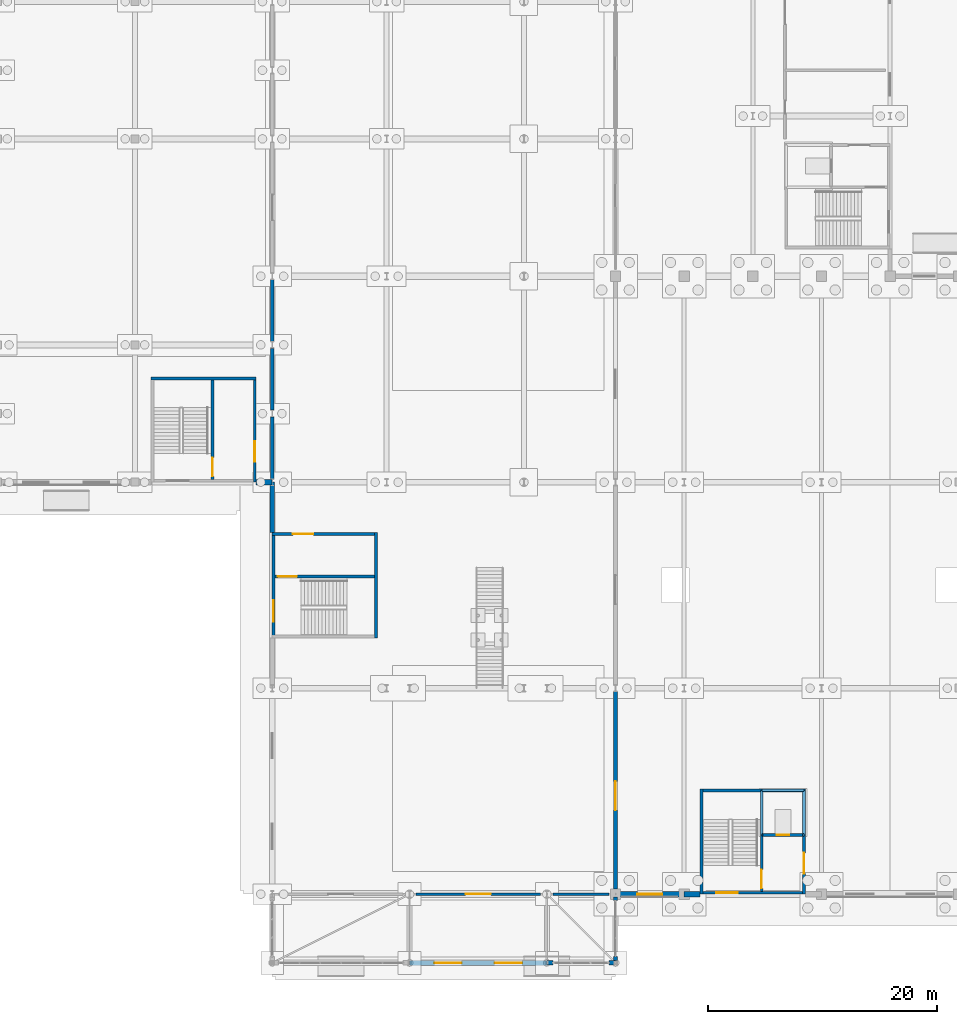
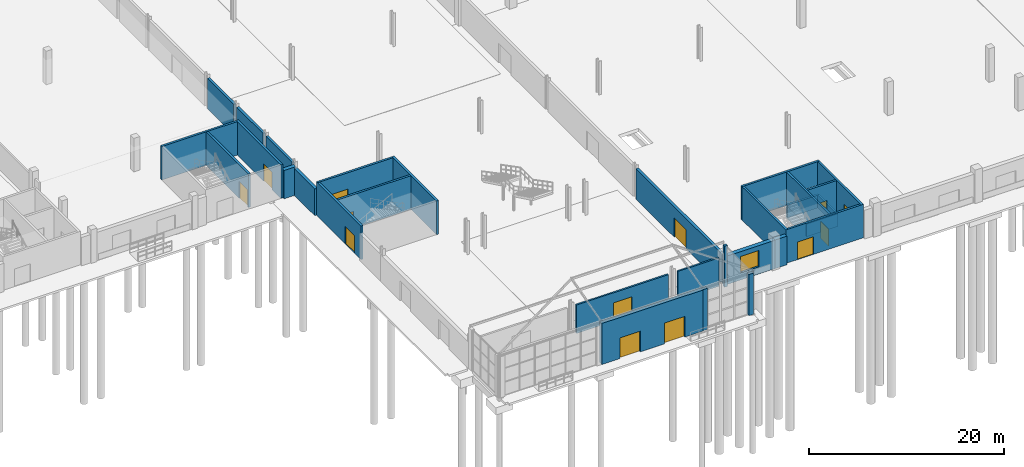
# One storey, part 53 of 77: 32 walls, 13 doors, 1 window, 14 openings.
"""IFC4 building model written with IfcOpenShell, lengths in metres."""

from ifc_helpers import new_model, si_unit, direction, frame, frame_2d, origin, place, context, subcontext, project, spatial, rectangle, extrude, material, layer, layer_set, type_object, element, fill, save


model = new_model("IFC4")

# Units and contexts
model_context = context("Model", 3, precision=1e-05, world=origin(), true_north=direction((0.0, 1.0)))
body_context = subcontext(model_context, "Body", "Model", "MODEL_VIEW")
ifc_project = project(units=[si_unit("LENGTHUNIT", "METRE"), si_unit("AREAUNIT", "SQUARE_METRE"), si_unit("VOLUMEUNIT", "CUBIC_METRE"), si_unit("PLANEANGLEUNIT", "RADIAN"), si_unit("MASSUNIT", "GRAM", prefix="KILO")], contexts=[model_context])

# Site, building, storey
site_placement = place(None, origin())
site = spatial("IfcSite", under=ifc_project, at=site_placement, CompositionType="ELEMENT")
building_placement = place(site_placement, origin())
building = spatial("IfcBuilding", under=site, at=building_placement, Name="Zilviju Railside Exhibition Hall", CompositionType="ELEMENT")
storey_placement = place(building_placement, origin())
storey = spatial("IfcBuildingStorey", under=building, at=storey_placement, Name="L01", CompositionType="ELEMENT", Elevation=0.0)

# Walls
ifc_material_1 = material(Name="Concrete C35/45", Category="concrete")
ifc_layer_1 = layer(ifc_material_1, 0.280029296875)
ifc_layer_set_1 = layer_set([ifc_layer_1], Name="Concrete C35/45")
wall_type_1 = type_object("IfcWallType", Name="WL-COMP-280", PredefinedType="SHEAR", material=ifc_layer_set_1)
for number, where, z_axis, x_axis, name in (
    (1, (48.0, 36.302001953125, 0.0), (0.0, 0.0, 1.0), (0.0, 1.0, 0.0), "REI 180 Congress-Concourse Compartment Wall L01"),
    (2, (48.0, 42.302001953125, 0.0), (0.0, 0.0, 1.0), (0.0, 1.0, 0.0), "REI 180 Congress-Concourse Compartment Wall L01"),
    (3, (48.0, 48.302001953125, 0.0), (0.0, 0.0, 1.0), (0.0, 1.0, 0.0), "REI 180 Congress-Concourse Compartment Wall L01"),
):
    element("IfcWall", number, at=place(storey_placement, frame(where, z_axis=z_axis, x_axis=x_axis)), inside=storey, type_object=wall_type_1, Name=name, PredefinedType="SHEAR", context=body_context, shape_type="SweptSolid", body=[
        extrude(rectangle(XDim=5.39599609375, YDim=0.280029296875, at=frame_2d((2.697998046875, 0.0))), origin(), (0.0, 0.0, 1.0), 3.800048828125),
    ])

# Wall, opening, door
ifc_material_2 = material(Name="Concrete C40/50", Category="concrete")
ifc_layer_2 = layer(ifc_material_2, 0.320068359375)
ifc_layer_set_2 = layer_set([ifc_layer_2], Name="Concrete C40/50")
wall_type_2 = type_object("IfcWallType", Name="WL-COMP-320", PredefinedType="SHEAR", material=ifc_layer_set_2)
wall_1_placement = place(storey_placement, frame((78.0, 0.451904296875, 0.0), z_axis=(0.0, 0.0, 1.0), x_axis=(0.0, 1.0, 0.0)))
wall_1 = element("IfcWall", 4, at=wall_1_placement, inside=storey, type_object=wall_type_2, Name="REI 180 South Hall Compartment Wall L01", PredefinedType="SHEAR", context=body_context, shape_type="SweptSolid", body=[
    extrude(rectangle(XDim=17.24609375, YDim=0.320068359375, at=frame_2d((8.623046875, 0.0))), origin(), (0.0, 0.0, 1.0), 3.800048828125),
])
opening_1_placement = place(wall_1_placement, frame((6.89794921875, 0.0, 0.0)))
opening_1 = element("IfcOpeningElement", 5, at=opening_1_placement, cuts=wall_1, Name="Opening FD-04", PredefinedType="OPENING", context=body_context, shape_type="SweptSolid", body=[
    extrude(rectangle(XDim=2.5, YDim=2.39990234375, at=frame_2d((1.25, 1.199951171875))), frame((0.0, 0.169921875, 0.0), z_axis=(0.0, -1.0, 0.0), x_axis=(1.0, 0.0, 0.0)), (0.0, 0.0, 1.0), 0.340087890625),
])
ifc_material_3 = material(Name="Exhibition hall fire compartment double door EI 60", Category="wood")
door_type_1 = type_object("IfcDoorType", Name="DR-COMP-250x240", OperationType="NOTDEFINED", PredefinedType="DOOR", material=ifc_material_3)
door_1_placement = place(opening_1_placement, origin())
door_1 = element("IfcDoor", 6, at=door_1_placement, inside=storey, type_object=door_type_1, Name="South Hall Entry Fire Door L01", OperationType="DOUBLE_DOOR_SINGLE_SWING", OverallHeight=2.39990234375, OverallWidth=2.5, PredefinedType="DOOR", context=body_context, shape_type="SweptSolid", body=[
    extrude(rectangle(XDim=2.5, YDim=2.39990234375, at=frame_2d((1.25, 1.199951171875))), frame((0.0, 0.02490234375, 0.0), z_axis=(0.0, -1.0, 0.0), x_axis=(1.0, 0.0, 0.0)), (0.0, 0.0, 1.0), 0.050048828125),
])
fill(opening_1, door_1)

# Walls
ifc_layer_3 = layer(ifc_material_1, 0.25)
ifc_layer_set_3 = layer_set([ifc_layer_3], Name="Concrete C35/45")
wall_type_3 = type_object("IfcWallType", Name="WL-CORE-250", PredefinedType="SHEAR", material=ifc_layer_set_3)
wall_2_placement = place(storey_placement, frame((85.52490234375, 0.0, 0.0), z_axis=(0.0, 0.0, 1.0), x_axis=(0.0, 1.0, 0.0)))
element("IfcWall", 7, at=wall_2_placement, inside=storey, type_object=wall_type_3, Name="Core C01 South Hall West Stairwell Outer Wall L01", PredefinedType="SHEAR", context=body_context, shape_type="SweptSolid", body=[
    extrude(rectangle(XDim=9.199951171875, YDim=0.25, at=frame_2d((4.60009765625, 0.0))), origin(), (0.0, 0.0, 1.0), 4.199951171875),
])
wall_3_placement = place(storey_placement, frame((85.39990234375, 9.074951171875, 0.0), z_axis=(0.0, 0.0, 1.0), x_axis=(1.0, 0.0, 0.0)))
element("IfcWall", 8, at=wall_3_placement, inside=storey, type_object=wall_type_3, Name="Core C01 South Hall West Core Rear Wall L01", PredefinedType="SHEAR", context=body_context, shape_type="SweptSolid", body=[
    extrude(rectangle(XDim=9.2001953125, YDim=0.25, at=frame_2d((4.60009765625, 0.0))), origin(), (0.0, 0.0, 1.0), 4.199951171875),
])

# Wall, opening, door
wall_4_placement = place(storey_placement, frame((94.47509765625, 0.0, 0.0), z_axis=(0.0, 0.0, 1.0), x_axis=(0.0, 1.0, 0.0)))
wall_4 = element("IfcWall", 9, at=wall_4_placement, inside=storey, type_object=wall_type_3, Name="Core C01 South Hall West Lobby Side Wall L01", PredefinedType="SHEAR", context=body_context, shape_type="SweptSolid", body=[
    extrude(rectangle(XDim=9.199951171875, YDim=0.25, at=frame_2d((4.60009765625, 0.0))), origin(), (0.0, 0.0, 1.0), 4.199951171875),
])
opening_2_placement = place(wall_4_placement, frame((1.800048828125, 0.0, 0.0)))
opening_2 = element("IfcOpeningElement", 10, at=opening_2_placement, cuts=wall_4, Name="Opening FD-02", PredefinedType="OPENING", context=body_context, shape_type="SweptSolid", body=[
    extrude(rectangle(XDim=1.800048828125, YDim=2.14990234375, at=frame_2d((0.89990234375, 1.074951171875))), frame((0.0, 0.135009765625, 0.0), z_axis=(0.0, -1.0, 0.0), x_axis=(1.0, 0.0, 0.0)), (0.0, 0.0, 1.0), 0.27001953125),
])
ifc_material_4 = material(Name="Self-closing glazed steel core lobby fire door EI 60", Category="steel")
door_type_2 = type_object("IfcDoorType", Name="DR-LOBBY-180x215", OperationType="NOTDEFINED", PredefinedType="DOOR", material=ifc_material_4)
door_2_placement = place(opening_2_placement, origin())
door_2 = element("IfcDoor", 11, at=door_2_placement, inside=storey, type_object=door_type_2, Name="Core C01 South Hall West Lobby Fire Door L01", OperationType="DOUBLE_DOOR_SINGLE_SWING", OverallHeight=2.14990234375, OverallWidth=1.800048828125, PredefinedType="DOOR", context=body_context, shape_type="SweptSolid", body=[
    extrude(rectangle(XDim=1.800048828125, YDim=2.14990234375, at=frame_2d((0.89990234375, 1.074951171875))), frame((0.0, 0.02490234375, 0.0), z_axis=(0.0, -1.0, 0.0), x_axis=(1.0, 0.0, 0.0)), (0.0, 0.0, 1.0), 0.050048828125),
])
fill(opening_2, door_2)

wall_5_placement = place(storey_placement, frame((90.77490234375, 0.25, 0.0), z_axis=(0.0, 0.0, 1.0), x_axis=(0.0, 1.0, 0.0)))
wall_5 = element("IfcWall", 12, at=wall_5_placement, inside=storey, type_object=wall_type_3, Name="Core C01 South Hall West Stairwell Partition Wall L01", PredefinedType="SHEAR", context=body_context, shape_type="SweptSolid", body=[
    extrude(rectangle(XDim=8.699951171875, YDim=0.25, at=frame_2d((4.35009765625, 0.0))), origin(), (0.0, 0.0, 1.0), 4.199951171875),
])
opening_3_placement = place(wall_5_placement, frame((0.25, 0.0, 0.0)))
opening_3 = element("IfcOpeningElement", 13, at=opening_3_placement, cuts=wall_5, Name="Opening FD-01", PredefinedType="OPENING", context=body_context, shape_type="SweptSolid", body=[
    extrude(rectangle(XDim=1.64990234375, YDim=2.10009765625, at=frame_2d((0.824951171875, 1.050048828125))), frame((0.0, 0.135009765625, 0.0), z_axis=(0.0, -1.0, 0.0), x_axis=(1.0, 0.0, 0.0)), (0.0, 0.0, 1.0), 0.27001953125),
])
ifc_material_5 = material(Name="Self-closing steel stair enclosure fire door EI 60", Category="steel")
door_type_3 = type_object("IfcDoorType", Name="DR-STAIR-165x210", OperationType="NOTDEFINED", PredefinedType="DOOR", material=ifc_material_5)
door_3_placement = place(opening_3_placement, origin())
door_3 = element("IfcDoor", 14, at=door_3_placement, inside=storey, type_object=door_type_3, Name="Core C01 South Hall West Protected Stair Door L01", OperationType="SINGLE_SWING_RIGHT", OverallHeight=2.10009765625, OverallWidth=1.64990234375, PredefinedType="DOOR", context=body_context, shape_type="SweptSolid", body=[
    extrude(rectangle(XDim=1.64990234375, YDim=2.10009765625, at=frame_2d((0.824951171875, 1.050048828125))), frame((0.0, 0.02490234375, 0.0), z_axis=(0.0, -1.0, 0.0), x_axis=(1.0, 0.0, 0.0)), (0.0, 0.0, 1.0), 0.050048828125),
])
fill(opening_3, door_3)

wall_6_placement = place(storey_placement, frame((90.89990234375, 5.175048828125, 0.0), z_axis=(0.0, 0.0, 1.0), x_axis=(1.0, 0.0, 0.0)))
wall_6 = element("IfcWall", 15, at=wall_6_placement, inside=storey, type_object=wall_type_3, Name="Core C01 South Hall West Lift Shaft Front Wall L01", PredefinedType="SHEAR", context=body_context, shape_type="SweptSolid", body=[
    extrude(rectangle(XDim=3.4501953125, YDim=0.25, at=frame_2d((1.72509765625, 0.0))), origin(), (0.0, 0.0, 1.0), 4.199951171875),
])
opening_4_placement = place(wall_6_placement, frame((1.175048828125, 0.0, 0.0)))
opening_4 = element("IfcOpeningElement", 16, at=opening_4_placement, cuts=wall_6, Name="Opening LD-01", PredefinedType="OPENING", context=body_context, shape_type="SweptSolid", body=[
    extrude(rectangle(XDim=1.10009765625, YDim=2.10009765625, at=frame_2d((0.550048828125, 1.050048828125))), frame((0.0, 0.135009765625, 0.0), z_axis=(0.0, -1.0, 0.0), x_axis=(1.0, 0.0, 0.0)), (0.0, 0.0, 1.0), 0.27001953125),
])
ifc_material_6 = material(Name="Passenger lift sliding landing door EI 60", Category="wood")
door_type_4 = type_object("IfcDoorType", Name="DR-LIFT-110x210", OperationType="NOTDEFINED", PredefinedType="DOOR", material=ifc_material_6)
door_4_placement = place(opening_4_placement, origin())
door_4 = element("IfcDoor", 17, at=door_4_placement, inside=storey, type_object=door_type_4, Name="Lift Landing Door LP-01 L01", OperationType="SLIDING_TO_LEFT", OverallHeight=2.10009765625, OverallWidth=1.10009765625, PredefinedType="DOOR", context=body_context, shape_type="SweptSolid", body=[
    extrude(rectangle(XDim=1.10009765625, YDim=2.10009765625, at=frame_2d((0.550048828125, 1.050048828125))), frame((0.0, 0.02490234375, 0.0), z_axis=(0.0, -1.0, 0.0), x_axis=(1.0, 0.0, 0.0)), (0.0, 0.0, 1.0), 0.050048828125),
])
fill(opening_4, door_4)

# Wall
wall_7_placement = place(storey_placement, frame((57.074951171875, 22.39990234375, 0.0), z_axis=(0.0, 0.0, 1.0), x_axis=(0.0, 1.0, 0.0)))
element("IfcWall", 18, at=wall_7_placement, inside=storey, type_object=wall_type_3, Name="Core C11 Winter Concourse Forecourt Core Rear Wall L01", PredefinedType="SHEAR", context=body_context, shape_type="SweptSolid", body=[
    extrude(rectangle(XDim=9.2001953125, YDim=0.25, at=frame_2d((4.60009765625, 0.0))), origin(), (0.0, 0.0, 1.0), 4.199951171875),
])

# Wall, opening, door
wall_8_placement = place(storey_placement, frame((48.0, 31.47509765625, 0.0), z_axis=(0.0, 0.0, 1.0), x_axis=(1.0, 0.0, 0.0)))
wall_8 = element("IfcWall", 19, at=wall_8_placement, inside=storey, type_object=wall_type_3, Name="Core C11 Winter Concourse Forecourt Lobby Side Wall L01", PredefinedType="SHEAR", context=body_context, shape_type="SweptSolid", body=[
    extrude(rectangle(XDim=9.199951171875, YDim=0.25, at=frame_2d((4.60009765625, 0.0))), origin(), (0.0, 0.0, 1.0), 4.199951171875),
])
opening_5_placement = place(wall_8_placement, frame((1.800048828125, 0.0, 0.0)))
opening_5 = element("IfcOpeningElement", 20, at=opening_5_placement, cuts=wall_8, Name="Opening FD-02", PredefinedType="OPENING", context=body_context, shape_type="SweptSolid", body=[
    extrude(rectangle(XDim=1.800048828125, YDim=2.14990234375, at=frame_2d((0.89990234375, 1.074951171875))), frame((0.0, 0.135009765625, 0.0), z_axis=(0.0, -1.0, 0.0), x_axis=(1.0, 0.0, 0.0)), (0.0, 0.0, 1.0), 0.27001953125),
])
door_5_placement = place(opening_5_placement, origin())
door_5 = element("IfcDoor", 21, at=door_5_placement, inside=storey, type_object=door_type_2, Name="Core C11 Winter Concourse Forecourt Lobby Fire Door L01", OperationType="DOUBLE_DOOR_SINGLE_SWING", OverallHeight=2.14990234375, OverallWidth=1.800048828125, PredefinedType="DOOR", context=body_context, shape_type="SweptSolid", body=[
    extrude(rectangle(XDim=1.800048828125, YDim=2.14990234375, at=frame_2d((0.89990234375, 1.074951171875))), frame((0.0, 0.02490234375, 0.0), z_axis=(0.0, -1.0, 0.0), x_axis=(1.0, 0.0, 0.0)), (0.0, 0.0, 1.0), 0.050048828125),
])
fill(opening_5, door_5)

wall_9_placement = place(storey_placement, frame((48.25, 27.77490234375, 0.0), z_axis=(0.0, 0.0, 1.0), x_axis=(1.0, 0.0, 0.0)))
wall_9 = element("IfcWall", 22, at=wall_9_placement, inside=storey, type_object=wall_type_3, Name="Core C11 Winter Concourse Forecourt Stairwell Partition Wall L01", PredefinedType="SHEAR", context=body_context, shape_type="SweptSolid", body=[
    extrude(rectangle(XDim=8.699951171875, YDim=0.25, at=frame_2d((4.35009765625, 0.0))), origin(), (0.0, 0.0, 1.0), 4.199951171875),
])
opening_6_placement = place(wall_9_placement, frame((0.25, 0.0, 0.0)))
opening_6 = element("IfcOpeningElement", 23, at=opening_6_placement, cuts=wall_9, Name="Opening FD-01", PredefinedType="OPENING", context=body_context, shape_type="SweptSolid", body=[
    extrude(rectangle(XDim=1.64990234375, YDim=2.10009765625, at=frame_2d((0.824951171875, 1.050048828125))), frame((0.0, 0.135009765625, 0.0), z_axis=(0.0, -1.0, 0.0), x_axis=(1.0, 0.0, 0.0)), (0.0, 0.0, 1.0), 0.27001953125),
])
door_6_placement = place(opening_6_placement, origin())
door_6 = element("IfcDoor", 24, at=door_6_placement, inside=storey, type_object=door_type_3, Name="Core C11 Winter Concourse Forecourt Protected Stair Door L01", OperationType="SINGLE_SWING_LEFT", OverallHeight=2.10009765625, OverallWidth=1.64990234375, PredefinedType="DOOR", context=body_context, shape_type="SweptSolid", body=[
    extrude(rectangle(XDim=1.64990234375, YDim=2.10009765625, at=frame_2d((0.824951171875, 1.050048828125))), frame((0.0, 0.02490234375, 0.0), z_axis=(0.0, -1.0, 0.0), x_axis=(1.0, 0.0, 0.0)), (0.0, 0.0, 1.0), 0.050048828125),
])
fill(opening_6, door_6)

# Wall
wall_10_placement = place(storey_placement, frame((37.39990234375, 45.074951171875, 0.0), z_axis=(0.0, 0.0, 1.0), x_axis=(1.0, 0.0, 0.0)))
element("IfcWall", 25, at=wall_10_placement, inside=storey, type_object=wall_type_3, Name="Core C13 Congress Plenary SouthE Core Rear Wall L01", PredefinedType="SHEAR", context=body_context, shape_type="SweptSolid", body=[
    extrude(rectangle(XDim=9.2001953125, YDim=0.25, at=frame_2d((4.60009765625, 0.0))), origin(), (0.0, 0.0, 1.0), 4.199951171875),
])

# Wall, opening, door
wall_11_placement = place(storey_placement, frame((46.47509765625, 36.0, 0.0), z_axis=(0.0, 0.0, 1.0), x_axis=(0.0, 1.0, 0.0)))
wall_11 = element("IfcWall", 26, at=wall_11_placement, inside=storey, type_object=wall_type_3, Name="Core C13 Congress Plenary SouthE Lobby Side Wall L01", PredefinedType="SHEAR", context=body_context, shape_type="SweptSolid", body=[
    extrude(rectangle(XDim=9.199951171875, YDim=0.25, at=frame_2d((4.60009765625, 0.0))), origin(), (0.0, 0.0, 1.0), 4.199951171875),
])
opening_7_placement = place(wall_11_placement, frame((1.800048828125, 0.0, 0.0)))
opening_7 = element("IfcOpeningElement", 27, at=opening_7_placement, cuts=wall_11, Name="Opening FD-02", PredefinedType="OPENING", context=body_context, shape_type="SweptSolid", body=[
    extrude(rectangle(XDim=1.800048828125, YDim=2.14990234375, at=frame_2d((0.89990234375, 1.074951171875))), frame((0.0, 0.135009765625, 0.0), z_axis=(0.0, -1.0, 0.0), x_axis=(1.0, 0.0, 0.0)), (0.0, 0.0, 1.0), 0.27001953125),
])
door_7_placement = place(opening_7_placement, origin())
door_7 = element("IfcDoor", 28, at=door_7_placement, inside=storey, type_object=door_type_2, Name="Core C13 Congress Plenary SouthE Lobby Fire Door L01", OperationType="DOUBLE_DOOR_SINGLE_SWING", OverallHeight=2.14990234375, OverallWidth=1.800048828125, PredefinedType="DOOR", context=body_context, shape_type="SweptSolid", body=[
    extrude(rectangle(XDim=1.800048828125, YDim=2.14990234375, at=frame_2d((0.89990234375, 1.074951171875))), frame((0.0, 0.02490234375, 0.0), z_axis=(0.0, -1.0, 0.0), x_axis=(1.0, 0.0, 0.0)), (0.0, 0.0, 1.0), 0.050048828125),
])
fill(opening_7, door_7)

wall_12_placement = place(storey_placement, frame((42.77490234375, 36.25, 0.0), z_axis=(0.0, 0.0, 1.0), x_axis=(0.0, 1.0, 0.0)))
wall_12 = element("IfcWall", 29, at=wall_12_placement, inside=storey, type_object=wall_type_3, Name="Core C13 Congress Plenary SouthE Stairwell Partition Wall L01", PredefinedType="SHEAR", context=body_context, shape_type="SweptSolid", body=[
    extrude(rectangle(XDim=8.699951171875, YDim=0.25, at=frame_2d((4.35009765625, 0.0))), origin(), (0.0, 0.0, 1.0), 4.199951171875),
])
opening_8_placement = place(wall_12_placement, frame((0.25, 0.0, 0.0)))
opening_8 = element("IfcOpeningElement", 30, at=opening_8_placement, cuts=wall_12, Name="Opening FD-01", PredefinedType="OPENING", context=body_context, shape_type="SweptSolid", body=[
    extrude(rectangle(XDim=1.64990234375, YDim=2.10009765625, at=frame_2d((0.824951171875, 1.050048828125))), frame((0.0, 0.135009765625, 0.0), z_axis=(0.0, -1.0, 0.0), x_axis=(1.0, 0.0, 0.0)), (0.0, 0.0, 1.0), 0.27001953125),
])
door_8_placement = place(opening_8_placement, origin())
door_8 = element("IfcDoor", 31, at=door_8_placement, inside=storey, type_object=door_type_3, Name="Core C13 Congress Plenary SouthE Protected Stair Door L01", OperationType="SINGLE_SWING_LEFT", OverallHeight=2.10009765625, OverallWidth=1.64990234375, PredefinedType="DOOR", context=body_context, shape_type="SweptSolid", body=[
    extrude(rectangle(XDim=1.64990234375, YDim=2.10009765625, at=frame_2d((0.824951171875, 1.050048828125))), frame((0.0, 0.02490234375, 0.0), z_axis=(0.0, -1.0, 0.0), x_axis=(1.0, 0.0, 0.0)), (0.0, 0.0, 1.0), 0.050048828125),
])
fill(opening_8, door_8)

# Walls
ifc_layer_4 = layer(ifc_material_2, 0.25)
ifc_layer_set_4 = layer_set([ifc_layer_4], Name="Concrete C40/50")
wall_type_4 = type_object("IfcWallType", Name="WL-CORE-300", PredefinedType="SHEAR", material=ifc_layer_set_4)
wall_13_placement = place(storey_placement, frame((90.780029296875, 5.179931640625, -1.60009765625), z_axis=(0.0, 0.0, 1.0), x_axis=(1.0, 0.0, 0.0)))
element("IfcWall", 32, at=wall_13_placement, inside=storey, type_object=wall_type_4, Name="Core C01 South Hall West Lift Pit Wall 1", PredefinedType="SHEAR", context=body_context, shape_type="SweptSolid", body=[
    extrude(rectangle(XDim=3.699951171875, YDim=0.25, at=frame_2d((1.85009765625, 0.0))), origin(), (0.0, 0.0, 1.0), 1.60009765625),
])
wall_14_placement = place(storey_placement, frame((94.47998046875, 5.179931640625, -1.60009765625), z_axis=(0.0, 0.0, 1.0), x_axis=(0.0, 1.0, 0.0)))
element("IfcWall", 33, at=wall_14_placement, inside=storey, type_object=wall_type_4, Name="Core C01 South Hall West Lift Pit Wall 2", PredefinedType="SHEAR", context=body_context, shape_type="SweptSolid", body=[
    extrude(rectangle(XDim=3.900146484375, YDim=0.25, at=frame_2d((1.9501953125, 0.0))), origin(), (0.0, 0.0, 1.0), 1.60009765625),
])
wall_15_placement = place(storey_placement, frame((94.47998046875, 9.080078125, -1.60009765625), z_axis=(0.0, 0.0, 1.0), x_axis=(-1.0, 0.0, 0.0)))
element("IfcWall", 34, at=wall_15_placement, inside=storey, type_object=wall_type_4, Name="Core C01 South Hall West Lift Pit Wall 3", PredefinedType="SHEAR", context=body_context, shape_type="SweptSolid", body=[
    extrude(rectangle(XDim=3.699951171875, YDim=0.25, at=frame_2d((1.85009765625, 0.0))), origin(), (0.0, 0.0, 1.0), 1.60009765625),
])
wall_16_placement = place(storey_placement, frame((90.780029296875, 9.080078125, -1.60009765625), z_axis=(0.0, 0.0, 1.0), x_axis=(0.0, -1.0, 0.0)))
element("IfcWall", 35, at=wall_16_placement, inside=storey, type_object=wall_type_4, Name="Core C01 South Hall West Lift Pit Wall 4", PredefinedType="SHEAR", context=body_context, shape_type="SweptSolid", body=[
    extrude(rectangle(XDim=3.900146484375, YDim=0.25, at=frame_2d((1.9501953125, 0.0))), origin(), (0.0, 0.0, 1.0), 1.60009765625),
])

# Wall, opening, door
wall_17_placement = place(storey_placement, frame((94.60009765625, 0.125, 0.0), z_axis=(0.0, 0.0, 1.0), x_axis=(-1.0, 0.0, 0.0)))
wall_17 = element("IfcWall", 36, at=wall_17_placement, inside=storey, type_object=wall_type_4, Name="Core C01 South Hall West Exterior Core Wall L01", PredefinedType="SHEAR", context=body_context, shape_type="SweptSolid", body=[
    extrude(rectangle(XDim=9.2001953125, YDim=0.25, at=frame_2d((4.60009765625, 0.0))), origin(), (0.0, 0.0, 1.0), 4.199951171875),
])
opening_9_placement = place(wall_17_placement, frame((5.89990234375, 0.0, 0.0)))
opening_9 = element("IfcOpeningElement", 37, at=opening_9_placement, cuts=wall_17, Name="Opening ED-02", PredefinedType="OPENING", context=body_context, shape_type="SweptSolid", body=[
    extrude(rectangle(XDim=1.89990234375, YDim=2.199951171875, at=frame_2d((0.949951171875, 1.10009765625))), frame((0.0, 0.135009765625, 0.0), z_axis=(0.0, -1.0, 0.0), x_axis=(1.0, 0.0, 0.0)), (0.0, 0.0, 1.0), 0.27001953125),
])
ifc_material_7 = material(Name="Insulated aluminium stair discharge door", Category="aluminium")
door_type_5 = type_object("IfcDoorType", Name="DR-EXT-EXIT-190x220", OperationType="NOTDEFINED", PredefinedType="DOOR", material=ifc_material_7)
door_9_placement = place(opening_9_placement, origin())
door_9 = element("IfcDoor", 38, at=door_9_placement, inside=storey, type_object=door_type_5, Name="Core C01 South Hall West Exit Stair Discharge Door ED-C01", OperationType="DOUBLE_DOOR_SINGLE_SWING", OverallHeight=2.199951171875, OverallWidth=1.89990234375, PredefinedType="DOOR", context=body_context, shape_type="SweptSolid", body=[
    extrude(rectangle(XDim=1.89990234375, YDim=2.199951171875, at=frame_2d((0.949951171875, 1.10009765625))), frame((0.0, 0.02490234375, 0.0), z_axis=(0.0, -1.0, 0.0), x_axis=(1.0, 0.0, 0.0)), (0.0, 0.0, 1.0), 0.050048828125),
])
fill(opening_9, door_9)

wall_18_placement = place(storey_placement, frame((48.125, 22.39990234375, 0.0), z_axis=(0.0, 0.0, 1.0), x_axis=(0.0, 1.0, 0.0)))
wall_18 = element("IfcWall", 39, at=wall_18_placement, inside=storey, type_object=wall_type_4, Name="Core C11 Winter Concourse Forecourt Exterior Core Wall L01", PredefinedType="SHEAR", context=body_context, shape_type="SweptSolid", body=[
    extrude(rectangle(XDim=9.2001953125, YDim=0.25, at=frame_2d((4.60009765625, 0.0))), origin(), (0.0, 0.0, 1.0), 4.199951171875),
])
opening_10_placement = place(wall_18_placement, frame((1.39990234375, 0.0, 0.0)))
opening_10 = element("IfcOpeningElement", 40, at=opening_10_placement, cuts=wall_18, Name="Opening ED-02", PredefinedType="OPENING", context=body_context, shape_type="SweptSolid", body=[
    extrude(rectangle(XDim=1.89990234375, YDim=2.199951171875, at=frame_2d((0.949951171875, 1.10009765625))), frame((0.0, 0.135009765625, 0.0), z_axis=(0.0, -1.0, 0.0), x_axis=(1.0, 0.0, 0.0)), (0.0, 0.0, 1.0), 0.27001953125),
])
door_10_placement = place(opening_10_placement, origin())
door_10 = element("IfcDoor", 41, at=door_10_placement, inside=storey, type_object=door_type_5, Name="Core C11 Winter Concourse Forecourt Exit Stair Discharge Door ED-C11", OperationType="DOUBLE_DOOR_SINGLE_SWING", OverallHeight=2.199951171875, OverallWidth=1.89990234375, PredefinedType="DOOR", context=body_context, shape_type="SweptSolid", body=[
    extrude(rectangle(XDim=1.89990234375, YDim=2.199951171875, at=frame_2d((0.949951171875, 1.10009765625))), frame((0.0, 0.02490234375, 0.0), z_axis=(0.0, -1.0, 0.0), x_axis=(1.0, 0.0, 0.0)), (0.0, 0.0, 1.0), 0.050048828125),
])
fill(opening_10, door_10)

# Walls
ifc_material_8 = material(Name="Insulated cream-brick upper facade wall", Category="masonry")
ifc_layer_5 = layer(ifc_material_8, 0.3798828125)
ifc_layer_set_5 = layer_set([ifc_layer_5], Name="Insulated cream-brick upper facade wall")
wall_type_5 = type_object("IfcWallType", Name="WL-EXT-380", PredefinedType="SOLIDWALL", material=ifc_layer_set_5)
wall_19_placement = place(storey_placement, frame((72.550048828125, -6.0, 0.0), z_axis=(0.0, 0.0, 1.0), x_axis=(-1.0, 0.0, 0.0)))
element("IfcWall", 42, at=wall_19_placement, inside=storey, type_object=wall_type_5, Name="Curtain-Wall Jamb Closure Pier L01 0384", PredefinedType="SOLIDWALL", context=body_context, shape_type="SweptSolid", body=[
    extrude(rectangle(XDim=0.548095703125, YDim=0.3798828125, at=frame_2d((0.27392578125, 0.0))), origin(), (0.0, 0.0, 1.0), 5.14990234375),
])
wall_20_placement = place(storey_placement, frame((78.0, -6.0, 0.0), z_axis=(0.0, 0.0, 1.0), x_axis=(-1.0, 0.0, 0.0)))
element("IfcWall", 43, at=wall_20_placement, inside=storey, type_object=wall_type_5, Name="Curtain-Wall Jamb Closure Pier L01 0385", PredefinedType="SOLIDWALL", context=body_context, shape_type="SweptSolid", body=[
    extrude(rectangle(XDim=0.550048828125, YDim=0.3798828125, at=frame_2d((0.27490234375, 0.0))), origin(), (0.0, 0.0, 1.0), 5.14990234375),
])
wall_21_placement = place(storey_placement, frame((78.0, -5.449951171875, 0.0), z_axis=(0.0, 0.0, 1.0), x_axis=(0.0, -1.0, 0.0)))
element("IfcWall", 44, at=wall_21_placement, inside=storey, type_object=wall_type_5, Name="Curtain-Wall Jamb Closure Pier L01 0388", PredefinedType="SOLIDWALL", context=body_context, shape_type="SweptSolid", body=[
    extrude(rectangle(XDim=0.358154296875, YDim=0.3798828125, at=frame_2d((0.17919921875, 0.0))), origin(), (0.0, 0.0, 1.0), 5.14990234375),
])
wall_22_placement = place(storey_placement, frame((78.0, -0.241943359375, 0.0), z_axis=(0.0, 0.0, 1.0), x_axis=(0.0, -1.0, 0.0)))
element("IfcWall", 45, at=wall_22_placement, inside=storey, type_object=wall_type_5, Name="Curtain-Wall Jamb Closure Pier L01 0389", PredefinedType="SOLIDWALL", context=body_context, shape_type="SweptSolid", body=[
    extrude(rectangle(XDim=0.30810546875, YDim=0.3798828125, at=frame_2d((0.154052734375, 0.0))), origin(), (0.0, 0.0, 1.0), 5.14990234375),
])
wall_23_placement = place(storey_placement, frame((48.0, 31.60009765625, 0.0), z_axis=(0.0, 0.0, 1.0), x_axis=(0.0, 1.0, 0.0)))
element("IfcWall", 46, at=wall_23_placement, inside=storey, type_object=wall_type_5, Name="Exterior Facade Wall L01 West 0398", PredefinedType="SOLIDWALL", context=body_context, shape_type="SweptSolid", body=[
    extrude(rectangle(XDim=4.39990234375, YDim=0.3798828125, at=frame_2d((2.199951171875, 0.0))), origin(), (0.0, 0.0, 1.0), 3.340087890625),
])

# Wall, openings, doors
ifc_material_9 = material(Name="Insulated Staburags travertine masonry wall", Category="masonry")
ifc_layer_6 = layer(ifc_material_9, 0.449951171875)
ifc_layer_set_6 = layer_set([ifc_layer_6], Name="Insulated Staburags travertine masonry wall")
wall_type_6 = type_object("IfcWallType", Name="WL-EXT-450", PredefinedType="SOLIDWALL", material=ifc_layer_set_6)
wall_24_placement = place(storey_placement, frame((72.0, -6.0, 0.0), z_axis=(0.0, 0.0, 1.0), x_axis=(-1.0, 0.0, 0.0)))
wall_24 = element("IfcWall", 47, at=wall_24_placement, inside=storey, type_object=wall_type_6, Name="Exterior Facade Wall L01 South 0383", PredefinedType="SOLIDWALL", context=body_context, shape_type="SweptSolid", body=[
    extrude(rectangle(XDim=12.0, YDim=0.449951171875, at=frame_2d((6.0, 0.0))), origin(), (0.0, 0.0, 1.0), 5.14990234375),
])
opening_11_placement = place(wall_24_placement, frame((2.159912109375, 0.0, 0.0)))
opening_11 = element("IfcOpeningElement", 48, at=opening_11_placement, cuts=wall_24, Name="Opening ED-03", PredefinedType="OPENING", context=body_context, shape_type="SweptSolid", body=[
    extrude(rectangle(XDim=2.39990234375, YDim=2.60009765625, at=frame_2d((1.199951171875, 1.300048828125))), frame((0.0, 0.23486328125, 0.0), z_axis=(0.0, -1.0, 0.0), x_axis=(1.0, 0.0, 0.0)), (0.0, 0.0, 1.0), 0.469970703125),
])
opening_12_placement = place(wall_24_placement, frame((7.43994140625, 0.0, 0.0)))
opening_12 = element("IfcOpeningElement", 49, at=opening_12_placement, cuts=wall_24, Name="Opening ED-03", PredefinedType="OPENING", context=body_context, shape_type="SweptSolid", body=[
    extrude(rectangle(XDim=2.39990234375, YDim=2.60009765625, at=frame_2d((1.199951171875, 1.300048828125))), frame((0.0, 0.23486328125, 0.0), z_axis=(0.0, -1.0, 0.0), x_axis=(1.0, 0.0, 0.0)), (0.0, 0.0, 1.0), 0.469970703125),
])
ifc_material_10 = material(Name="Ornamental wrought-iron glazed main entrance door", Category="steel")
door_type_6 = type_object("IfcDoorType", Name="DR-EXT-MAIN-240x260", OperationType="NOTDEFINED", PredefinedType="DOOR", material=ifc_material_10)
door_11_placement = place(opening_11_placement, origin())
door_11 = element("IfcDoor", 50, at=door_11_placement, inside=storey, type_object=door_type_6, Name="Main Pedestrian Entrance Vestibule Door ED-MAIN-01", OperationType="DOUBLE_DOOR_SINGLE_SWING", OverallHeight=2.60009765625, OverallWidth=2.39990234375, PredefinedType="DOOR", context=body_context, shape_type="SweptSolid", body=[
    extrude(rectangle(XDim=2.39990234375, YDim=2.60009765625, at=frame_2d((1.199951171875, 1.300048828125))), frame((0.0, 0.02490234375, 0.0), z_axis=(0.0, -1.0, 0.0), x_axis=(1.0, 0.0, 0.0)), (0.0, 0.0, 1.0), 0.050048828125),
])
fill(opening_11, door_11)
door_12_placement = place(opening_12_placement, origin())
door_12 = element("IfcDoor", 51, at=door_12_placement, inside=storey, type_object=door_type_6, Name="Main Pedestrian Entrance Vestibule Door ED-MAIN-01", OperationType="DOUBLE_DOOR_SINGLE_SWING", OverallHeight=2.60009765625, OverallWidth=2.39990234375, PredefinedType="DOOR", context=body_context, shape_type="SweptSolid", body=[
    extrude(rectangle(XDim=2.39990234375, YDim=2.60009765625, at=frame_2d((1.199951171875, 1.300048828125))), frame((0.0, 0.02490234375, 0.0), z_axis=(0.0, -1.0, 0.0), x_axis=(1.0, 0.0, 0.0)), (0.0, 0.0, 1.0), 0.050048828125),
])
fill(opening_12, door_12)

# Wall
wall_25_placement = place(storey_placement, frame((48.0, 36.0, 0.0), z_axis=(0.0, 0.0, 1.0), x_axis=(-1.0, 0.0, 0.0)))
element("IfcWall", 52, at=wall_25_placement, inside=storey, type_object=wall_type_6, Name="Exterior Facade Wall L01 South 0427", PredefinedType="SOLIDWALL", context=body_context, shape_type="SweptSolid", body=[
    extrude(rectangle(XDim=1.39990234375, YDim=0.449951171875, at=frame_2d((0.699951171875, 0.0))), origin(), (0.0, 0.0, 1.0), 3.550048828125),
])

# Wall, opening, window
ifc_material_11 = material(Name="Insulated Baltic granite plinth masonry wall", Category="masonry")
ifc_layer_7 = layer(ifc_material_11, 0.47998046875)
ifc_layer_set_7 = layer_set([ifc_layer_7], Name="Insulated Baltic granite plinth masonry wall")
wall_type_7 = type_object("IfcWallType", Name="WL-EXT-480", PredefinedType="SOLIDWALL", material=ifc_layer_set_7)
wall_26_placement = place(storey_placement, frame((84.0, 0.0, 0.0), z_axis=(0.0, 0.0, 1.0), x_axis=(-1.0, 0.0, 0.0)))
wall_26 = element("IfcWall", 53, at=wall_26_placement, inside=storey, type_object=wall_type_7, Name="Exterior Facade Wall L01 South 0001", PredefinedType="SOLIDWALL", context=body_context, shape_type="SweptSolid", body=[
    extrude(rectangle(XDim=6.0, YDim=0.47998046875, at=frame_2d((3.0, 0.0))), origin(), (0.0, 0.0, 1.0), 3.56005859375),
])
opening_13_placement = place(wall_26_placement, frame((1.89990234375, 0.0, 0.89990234375)))
opening_13 = element("IfcOpeningElement", 54, at=opening_13_placement, cuts=wall_26, Name="Opening WN-05", PredefinedType="OPENING", context=body_context, shape_type="SweptSolid", body=[
    extrude(rectangle(XDim=2.199951171875, YDim=2.050048828125, at=frame_2d((1.10009765625, 1.02490234375))), frame((0.0, 0.25, 0.0), z_axis=(0.0, -1.0, 0.0), x_axis=(1.0, 0.0, 0.0)), (0.0, 0.0, 1.0), 0.5),
])
ifc_material_12 = material(Name="Triple-glazed timber-aluminium window unit", Category="wood")
window_type = type_object("IfcWindowType", Name="WIN-JUG-220x205", PartitioningType="TRIPLE_PANEL_VERTICAL", PredefinedType="WINDOW", material=ifc_material_12)
window_placement = place(opening_13_placement, origin())
window = element("IfcWindow", 55, at=window_placement, inside=storey, type_object=window_type, Name="Facade Window L01 WN-0001", OverallHeight=2.050048828125, OverallWidth=2.199951171875, PartitioningType="SINGLE_PANEL", PredefinedType="WINDOW", context=body_context, shape_type="SweptSolid", body=[
    extrude(rectangle(XDim=2.199951171875, YDim=2.050048828125, at=frame_2d((1.10009765625, 1.02490234375))), frame((0.0, 0.030029296875, 0.0), z_axis=(0.0, -1.0, 0.0), x_axis=(1.0, 0.0, 0.0)), (0.0, 0.0, 1.0), 0.06005859375),
])
fill(opening_13, window)

# Wall
wall_27_placement = place(storey_placement, frame((85.39990234375, 0.0, 0.0), z_axis=(0.0, 0.0, 1.0), x_axis=(-1.0, 0.0, 0.0)))
element("IfcWall", 56, at=wall_27_placement, inside=storey, type_object=wall_type_7, Name="Exterior Facade Wall L01 South 0002", PredefinedType="SOLIDWALL", context=body_context, shape_type="SweptSolid", body=[
    extrude(rectangle(XDim=1.39990234375, YDim=0.47998046875, at=frame_2d((0.699951171875, 0.0))), origin(), (0.0, 0.0, 1.0), 3.580078125),
])

# Wall, opening, door
ifc_material_13 = material(Name="Double-stud acoustic gypsum partition wall", Category="masonry")
ifc_layer_8 = layer(ifc_material_13, 0.199951171875)
ifc_layer_set_8 = layer_set([ifc_layer_8], Name="Double-stud acoustic gypsum partition wall")
wall_type_8 = type_object("IfcWallType", Name="WL-PART-200", PredefinedType="PARTITIONING", material=ifc_layer_set_8)
wall_28_placement = place(storey_placement, frame((60.550048828125, 0.0, 0.0), z_axis=(0.0, 0.0, 1.0), x_axis=(1.0, 0.0, 0.0)))
wall_28 = element("IfcWall", 57, at=wall_28_placement, inside=storey, type_object=wall_type_8, Name="Entrance Porch Draught-Lobby Partition", PredefinedType="PARTITIONING", context=body_context, shape_type="SweptSolid", body=[
    extrude(rectangle(XDim=10.89990234375, YDim=0.199951171875, at=frame_2d((5.449951171875, 0.0))), origin(), (0.0, 0.0, 1.0), 3.56005859375),
])
opening_14_placement = place(wall_28_placement, frame((4.35009765625, 0.0, 0.0)))
opening_14 = element("IfcOpeningElement", 58, at=opening_14_placement, cuts=wall_28, Name="Opening FD-03", PredefinedType="OPENING", context=body_context, shape_type="SweptSolid", body=[
    extrude(rectangle(XDim=2.199951171875, YDim=2.300048828125, at=frame_2d((1.10009765625, 1.14990234375))), frame((0.0, 0.10986328125, 0.0), z_axis=(0.0, -1.0, 0.0), x_axis=(1.0, 0.0, 0.0)), (0.0, 0.0, 1.0), 0.219970703125),
])
ifc_material_14 = material(Name="Hold-open double compartment fire door EI 60", Category="wood")
door_type_7 = type_object("IfcDoorType", Name="DR-COMP-220x230", OperationType="NOTDEFINED", PredefinedType="DOOR", material=ifc_material_14)
door_13_placement = place(opening_14_placement, origin())
door_13 = element("IfcDoor", 59, at=door_13_placement, inside=storey, type_object=door_type_7, Name="Vestibule Inner Door", OperationType="DOUBLE_DOOR_SINGLE_SWING", OverallHeight=2.300048828125, OverallWidth=2.199951171875, PredefinedType="DOOR", context=body_context, shape_type="SweptSolid", body=[
    extrude(rectangle(XDim=2.199951171875, YDim=2.300048828125, at=frame_2d((1.10009765625, 1.14990234375))), frame((0.0, 0.02490234375, 0.0), z_axis=(0.0, -1.0, 0.0), x_axis=(1.0, 0.0, 0.0)), (0.0, 0.0, 1.0), 0.050048828125),
])
fill(opening_14, door_13)

# Wall
wall_29_placement = place(storey_placement, frame((72.550048828125, 0.0, 0.0), z_axis=(0.0, 0.0, 1.0), x_axis=(1.0, 0.0, 0.0)))
element("IfcWall", 60, at=wall_29_placement, inside=storey, type_object=wall_type_8, Name="Entrance Porch Draught-Lobby Partition", PredefinedType="PARTITIONING", context=body_context, shape_type="SweptSolid", body=[
    extrude(rectangle(XDim=4.89990234375, YDim=0.199951171875, at=frame_2d((2.449951171875, 0.0))), origin(), (0.0, 0.0, 1.0), 3.56005859375),
])

save(model, "model.ifc")
